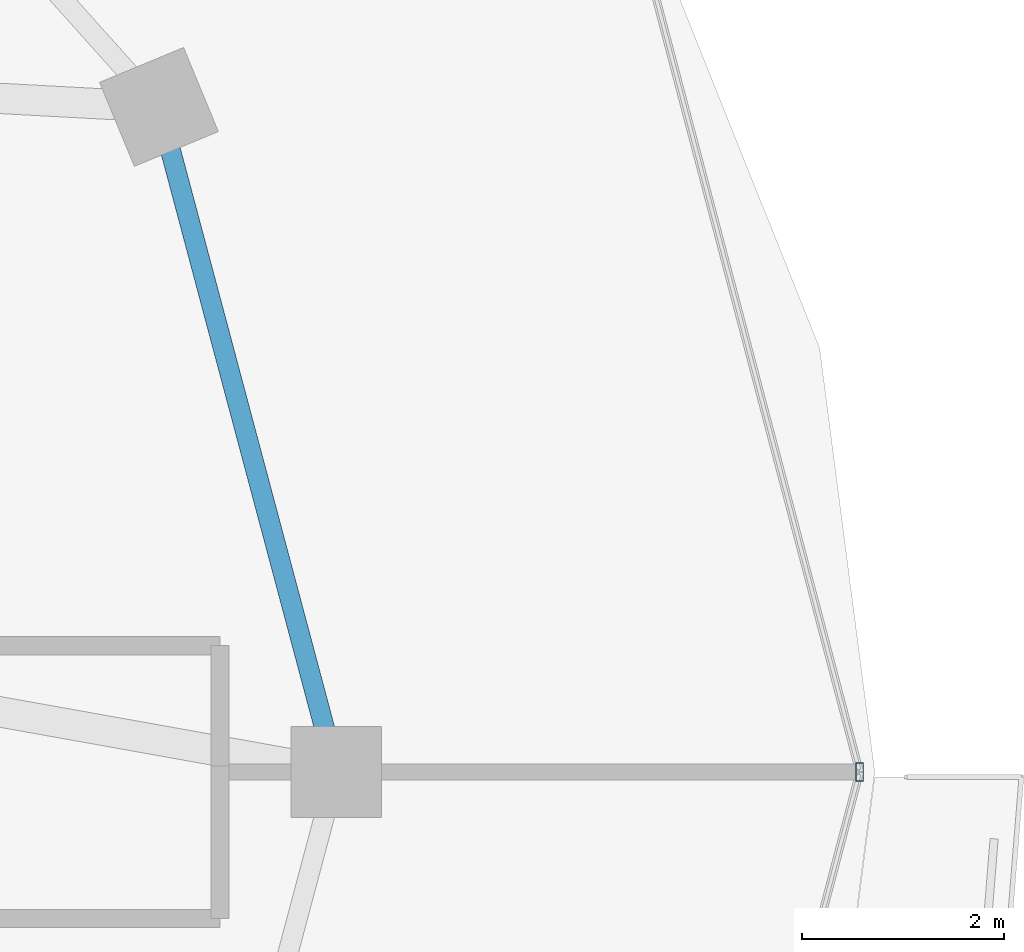
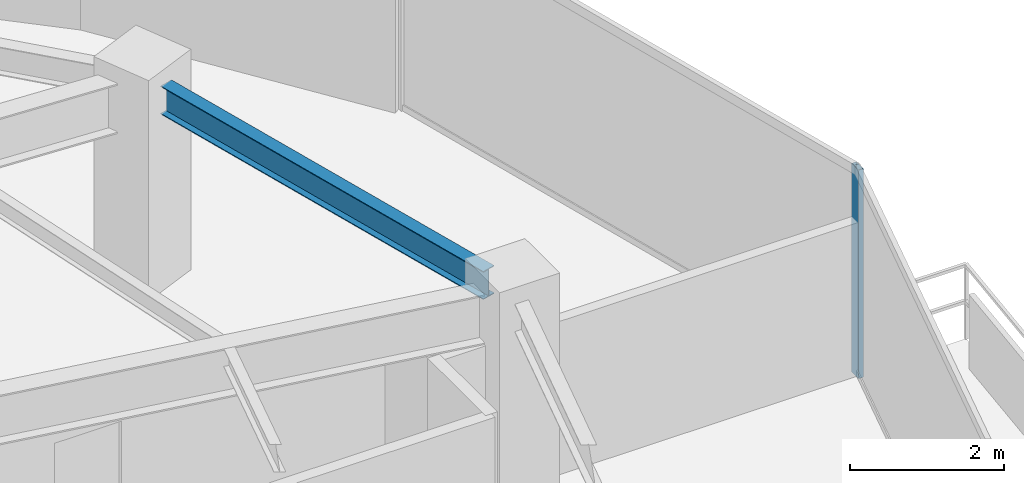
# One storey, part 15 of 33: 1 beam, 1 member, 1 element without a shape of its own.
"""IFC4 building model written with IfcOpenShell, lengths in metres."""

from ifc_helpers import new_model, si_unit, direction, frame, origin, origin_2d, place, context, subcontext, project, spatial, hollow_rectangle, i_section, extrude, material, material_profile, profile_set, type_object, element, aggregate, save


model = new_model("IFC4")

# Units and contexts
model_context = context("Model", 3, precision=1e-05, world=origin(), true_north=direction((0.0, 1.0)))
body_context = subcontext(model_context, "Body", "Model", "MODEL_VIEW")
ifc_project = project(units=[si_unit("LENGTHUNIT", "METRE"), si_unit("AREAUNIT", "SQUARE_METRE"), si_unit("VOLUMEUNIT", "CUBIC_METRE"), si_unit("PLANEANGLEUNIT", "RADIAN"), si_unit("MASSUNIT", "GRAM", prefix="KILO")], contexts=[model_context])

# Site, building, storey
site_placement = place(None, origin())
site = spatial("IfcSite", under=ifc_project, at=site_placement, CompositionType="ELEMENT")
building_placement = place(site_placement, origin())
building = spatial("IfcBuilding", under=site, at=building_placement, Name="Vorneva Point Tower", CompositionType="ELEMENT")
storey_placement = place(building_placement, frame((0.0, 0.0, 196.60009765625)))
storey = spatial("IfcBuildingStorey", under=building, at=storey_placement, Name="L53", CompositionType="ELEMENT", Elevation=196.60009765625)

# Beam
ifc_material_1 = material(Name="Steel S355", Category="steel")
ifc_material_profile_1 = material_profile(ifc_material_1, i_section(OverallWidth=0.198974609375, OverallDepth=0.446044921875, WebThickness=0.008056640625, FlangeThickness=0.011962890625, at=origin_2d()), Name="45B1")
ifc_profile_set_1 = profile_set([ifc_material_profile_1], Name="Steel S355")
beam_type = type_object("IfcBeamType", Name="BM-SPN-45B1", PredefinedType="SPANDREL", material=ifc_profile_set_1)
beam_placement = place(storey_placement, frame((60.93798828125, 26.42041015625, 3.016845703125), z_axis=(-0.257578258003, 0.966257440336, 0.0), x_axis=(-0.966257440336, -0.257578258003, 0.0)))
element("IfcBeam", 1, at=beam_placement, inside=storey, type_object=beam_type, Name="L53 Perimeter Spandrel Ring Beam 01", PredefinedType="SPANDREL", context=body_context, shape_type="SweptSolid", body=[
    extrude(i_section(OverallWidth=0.198974609375, OverallDepth=0.446044921875, WebThickness=0.008056640625, FlangeThickness=0.011962890625, at=origin_2d()), origin(), (0.0, 0.0, 1.0), 5.94189453125),
])

# Curtain wall, member
ifc_material_2 = material(Name="Pale anodised aluminium", Category="aluminium")
curtain_wall_type = type_object("IfcCurtainWallType", Name="CW-RES-SYS", PredefinedType="NOTDEFINED", material=ifc_material_2)
curtain_wall_placement = place(storey_placement, origin())
curtain_wall = element("IfcCurtainWall", 2, at=curtain_wall_placement, inside=storey, type_object=curtain_wall_type, Name="L53 Unitised Curtain Wall CW-L53-R01", PredefinedType="NOTDEFINED")
ifc_material_profile_2 = material_profile(ifc_material_2, hollow_rectangle(XDim=0.074951171875, YDim=0.179931640625, WallThickness=0.00390625, at=origin_2d()), Name="AL-MUL 180x75x4")
ifc_profile_set_2 = profile_set([ifc_material_profile_2], Name="Pale anodised aluminium")
member_type = type_object("IfcMemberType", Name="CW-MUL-180", PredefinedType="MULLION", material=ifc_profile_set_2)
member_placement = place(storey_placement, frame((66.22998046875, 26.0, -0.0400390625), z_axis=(0.0, 0.0, 1.0), x_axis=(1.0, 0.0, 0.0)))
member = element("IfcMember", 3, at=member_placement, type_object=member_type, Name="CW-L53-R01 Mullion 02", PredefinedType="MULLION", context=body_context, shape_type="SweptSolid", body=[
    extrude(hollow_rectangle(XDim=0.074951171875, YDim=0.179931640625, WallThickness=0.00390625, at=origin_2d()), origin(), (0.0, 0.0, 1.0), 3.31005859375),
])
aggregate(curtain_wall, [member])

save(model, "model.ifc")
